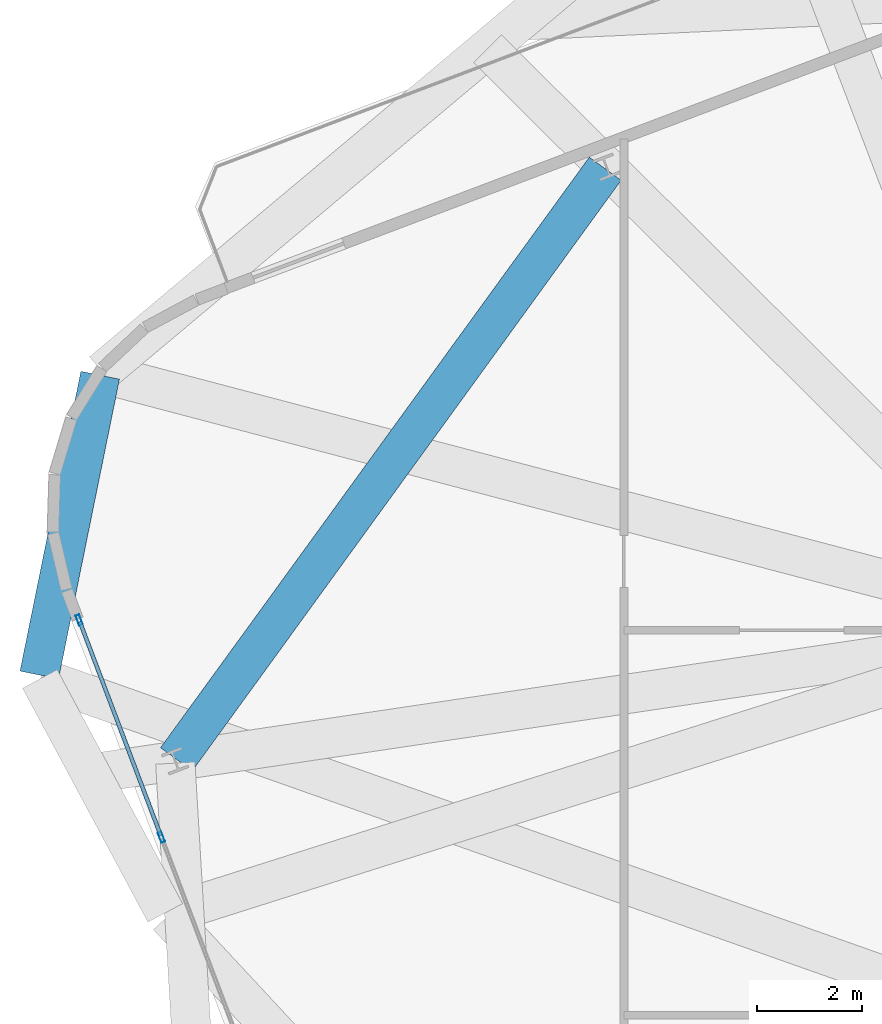
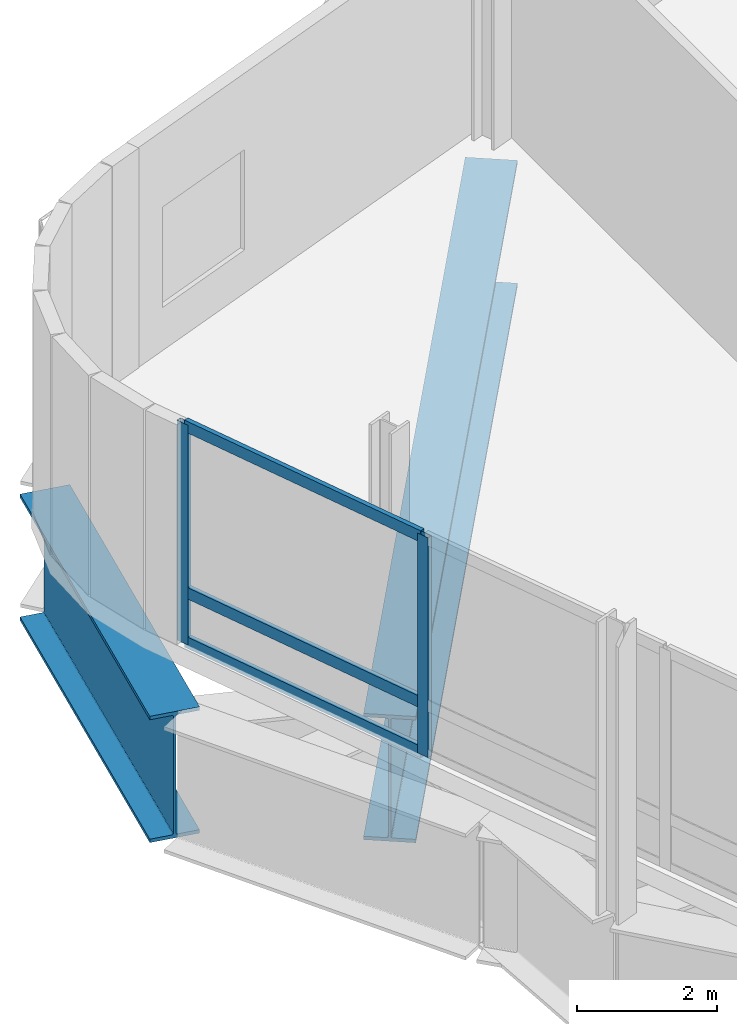
# One storey, part 7 of 19: 5 members, 2 beams, 1 element without a shape of its own.
"""IFC4 building model written with IfcOpenShell, lengths in metres."""

from ifc_helpers import new_model, si_unit, direction, frame, origin, origin_2d, place, context, subcontext, project, spatial, hollow_rectangle, i_section, extrude, material, layer, layer_set, material_profile, profile_set, type_object, element, aggregate, save


model = new_model("IFC4")

# Units and contexts
model_context = context("Model", 3, precision=1e-05, world=origin(), true_north=direction((0.0, 1.0)))
body_context = subcontext(model_context, "Body", "Model", "MODEL_VIEW")
ifc_project = project(units=[si_unit("LENGTHUNIT", "METRE"), si_unit("AREAUNIT", "SQUARE_METRE"), si_unit("VOLUMEUNIT", "CUBIC_METRE"), si_unit("PLANEANGLEUNIT", "RADIAN"), si_unit("MASSUNIT", "GRAM", prefix="KILO")], contexts=[model_context])

# Site, building, storey
site_placement = place(None, origin())
site = spatial("IfcSite", under=ifc_project, at=site_placement, CompositionType="ELEMENT")
building_placement = place(site_placement, origin())
building = spatial("IfcBuilding", under=site, at=building_placement, Name="Varnelok Gate Tower", CompositionType="ELEMENT")
storey_placement = place(building_placement, frame((0.0, 0.0, 207.89990234375)))
storey = spatial("IfcBuildingStorey", under=building, at=storey_placement, Name="L53", CompositionType="ELEMENT", Elevation=207.89990234375)

# Beams
ifc_material_1 = material(Name="Structural Steel ASTM A572 Grade 50", Category="steel")
ifc_material_profile_1 = material_profile(ifc_material_1, i_section(OverallWidth=0.75, OverallDepth=2.199951171875, WebThickness=0.031982421875, FlangeThickness=0.06005859375, FilletRadius=0.028076171875, at=origin_2d()), Name="PG2200X750")
ifc_profile_set_1 = profile_set([ifc_material_profile_1], Name="Structural Steel ASTM A572 Grade 50")
beam_type = type_object("IfcBeamType", Name="BM-TR-PG2200", PredefinedType="BEAM", material=ifc_profile_set_1)
beam_1_placement = place(storey_placement, frame((5.9150390625, 31.50146484375, -1.419921875), z_axis=(-0.19909384533, -0.979980428759, 0.0), x_axis=(0.979980428759, -0.19909384533, 0.0)))
element("IfcBeam", 1, at=beam_1_placement, inside=storey, type_object=beam_type, Name="L53 Transfer Support Ring Girder 14", PredefinedType="BEAM", context=body_context, shape_type="SweptSolid", body=[
    extrude(i_section(OverallWidth=0.75, OverallDepth=2.199951171875, WebThickness=0.031982421875, FlangeThickness=0.06005859375, FilletRadius=0.028076171875, at=origin_2d()), origin(), (0.0, 0.0, 1.0), 5.83203125),
])
beam_2_placement = place(storey_placement, frame((15.544189453125, 35.439208984375, -1.419921875), z_axis=(-0.587537251811, -0.809197119208, 0.0), x_axis=(0.809197119208, -0.587537251811, 0.0)))
element("IfcBeam", 2, at=beam_2_placement, inside=storey, type_object=beam_type, Name="L53 Upper Perimeter Transfer Ring 13", PredefinedType="BEAM", context=body_context, shape_type="SweptSolid", body=[
    extrude(i_section(OverallWidth=0.75, OverallDepth=2.199951171875, WebThickness=0.031982421875, FlangeThickness=0.06005859375, FilletRadius=0.028076171875, at=origin_2d()), origin(), (0.0, 0.0, 1.0), 13.915283203125),
])

# Curtain wall, members
ifc_material_2 = material(Name="Anodized Aluminum Alloy 6063-T6", Category="aluminium")
ifc_layer = layer(ifc_material_2, 0.179931640625)
ifc_layer_set = layer_set([ifc_layer], Name="Anodized Aluminum Alloy 6063-T6")
curtain_wall_type = type_object("IfcCurtainWallType", Name="CW2-ATRIUM-GLAZING", PredefinedType="USERDEFINED", material=ifc_layer_set)
curtain_wall_placement = place(storey_placement, origin())
curtain_wall = element("IfcCurtainWall", 3, at=curtain_wall_placement, inside=storey, type_object=curtain_wall_type, Name="L53 West End Vision Curtain Wall", ObjectType="UNITISED CURTAIN WALL", PredefinedType="USERDEFINED")
ifc_material_profile_2 = material_profile(ifc_material_2, hollow_rectangle(XDim=0.074951171875, YDim=0.199951171875, WallThickness=0.00390625, at=origin_2d()), Name="ALU200X75X4")
ifc_profile_set_2 = profile_set([ifc_material_profile_2], Name="Anodized Aluminum Alloy 6063-T6")
member_type_1 = type_object("IfcMemberType", Name="CW-MULL-200", PredefinedType="MULLION", material=ifc_profile_set_2)
member_1_placement = place(storey_placement, frame((7.08251953125, 22.69287109375, 0.0), z_axis=(0.0, 0.0, 1.0), x_axis=(-0.935221251863, -0.354063850264, 0.0)))
member_1 = element("IfcMember", 4, at=member_1_placement, type_object=member_type_1, Name="CW2 mullion 6", PredefinedType="MULLION", context=body_context, shape_type="SweptSolid", body=[
    extrude(hollow_rectangle(XDim=0.074951171875, YDim=0.199951171875, WallThickness=0.00390625, at=origin_2d()), origin(), (0.0, 0.0, 1.0), 3.830078125),
])
member_2_placement = place(storey_placement, frame((5.514404296875, 26.835205078125, 0.0), z_axis=(0.0, 0.0, 1.0), x_axis=(-0.935221251863, -0.354063850264, 0.0)))
member_2 = element("IfcMember", 5, at=member_2_placement, type_object=member_type_1, Name="CW2 mullion 7", PredefinedType="MULLION", context=body_context, shape_type="SweptSolid", body=[
    extrude(hollow_rectangle(XDim=0.074951171875, YDim=0.199951171875, WallThickness=0.00390625, at=origin_2d()), origin(), (0.0, 0.0, 1.0), 3.830078125),
])
ifc_material_profile_3 = material_profile(ifc_material_2, hollow_rectangle(XDim=0.074951171875, YDim=0.199951171875, WallThickness=0.00390625, at=origin_2d()), Name="ALU200X75X4")
ifc_profile_set_3 = profile_set([ifc_material_profile_3], Name="Anodized Aluminum Alloy 6063-T6")
member_type_2 = type_object("IfcMemberType", Name="CW-TRAN-200", PredefinedType="USERDEFINED", material=ifc_profile_set_3)
member_3_placement = place(storey_placement, frame((7.0693359375, 22.72802734375, 0.03759765625), z_axis=(-0.354089610617, 0.935211498888, 0.0), x_axis=(-0.935211498888, -0.354089610617, 0.0)))
member_3 = element("IfcMember", 6, at=member_3_placement, type_object=member_type_2, Name="CW2 transom 6.1", ObjectType="TRANSOM", PredefinedType="USERDEFINED", context=body_context, shape_type="SweptSolid", body=[
    extrude(hollow_rectangle(XDim=0.074951171875, YDim=0.199951171875, WallThickness=0.00390625, at=origin_2d()), origin(), (0.0, 0.0, 1.0), 4.35400390625),
])
member_4_placement = place(storey_placement, frame((7.0693359375, 22.72802734375, 0.900146484375), z_axis=(-0.354089610617, 0.935211498888, 0.0), x_axis=(-0.935211498888, -0.354089610617, 0.0)))
member_4 = element("IfcMember", 7, at=member_4_placement, type_object=member_type_2, Name="CW2 transom 6.2", ObjectType="TRANSOM", PredefinedType="USERDEFINED", context=body_context, shape_type="SweptSolid", body=[
    extrude(hollow_rectangle(XDim=0.074951171875, YDim=0.199951171875, WallThickness=0.00390625, at=origin_2d()), origin(), (0.0, 0.0, 1.0), 4.35400390625),
])
member_5_placement = place(storey_placement, frame((7.0693359375, 22.72802734375, 3.79248046875), z_axis=(-0.354089610617, 0.935211498888, 0.0), x_axis=(-0.935211498888, -0.354089610617, 0.0)))
member_5 = element("IfcMember", 8, at=member_5_placement, type_object=member_type_2, Name="CW2 transom 6.3", ObjectType="TRANSOM", PredefinedType="USERDEFINED", context=body_context, shape_type="SweptSolid", body=[
    extrude(hollow_rectangle(XDim=0.074951171875, YDim=0.199951171875, WallThickness=0.00390625, at=origin_2d()), origin(), (0.0, 0.0, 1.0), 4.35400390625),
])
aggregate(curtain_wall, [member_1, member_2, member_3, member_4, member_5])

save(model, "model.ifc")
